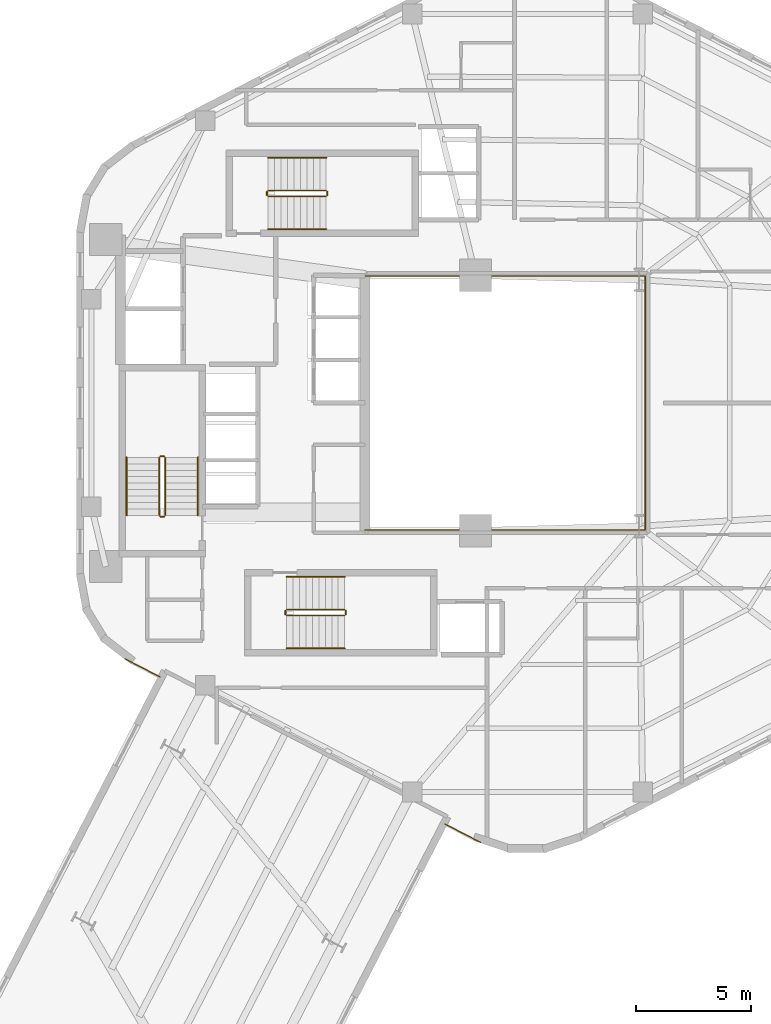
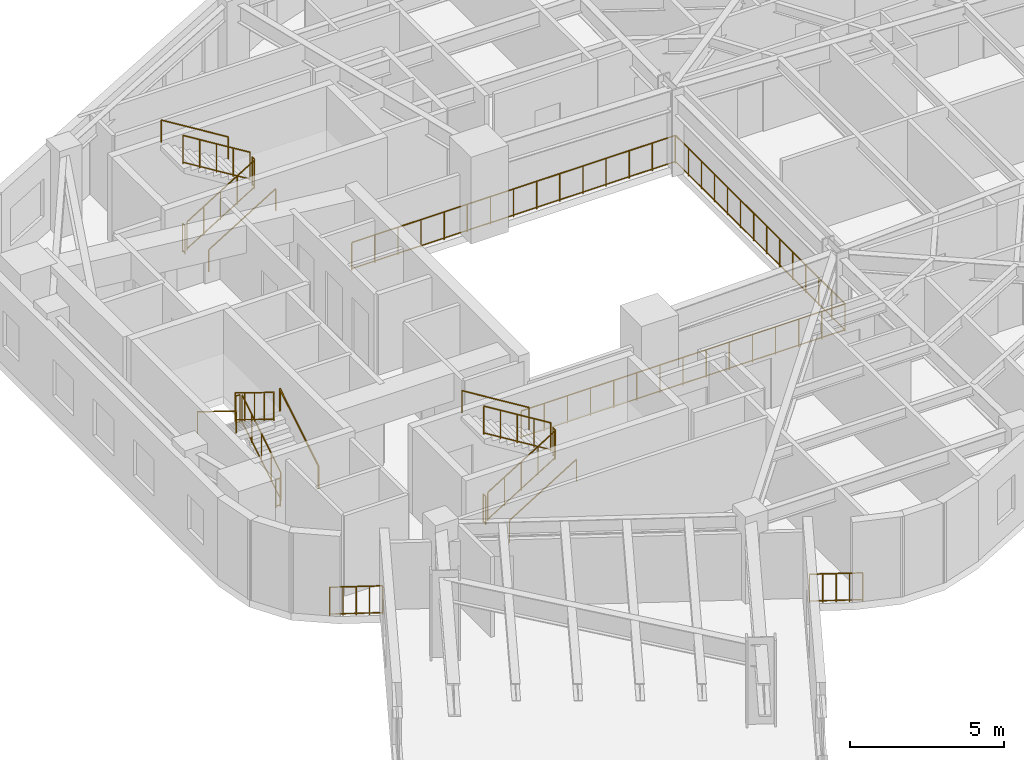
# One storey, part 10 of 10: 21 railings.
"""IFC4 building model written with IfcOpenShell, lengths in metres."""

from ifc_helpers import new_model, si_unit, direction, frame, origin, origin_2d, place, context, subcontext, project, spatial, circle, extrude, material, type_object, element, save


model = new_model("IFC4")

# Units and contexts
model_context = context("Model", 3, precision=1e-05, world=origin(), true_north=direction((0.0, 1.0)))
body_context = subcontext(model_context, "Body", "Model", "MODEL_VIEW")
ifc_project = project(units=[si_unit("LENGTHUNIT", "METRE"), si_unit("AREAUNIT", "SQUARE_METRE"), si_unit("VOLUMEUNIT", "CUBIC_METRE"), si_unit("PLANEANGLEUNIT", "RADIAN"), si_unit("MASSUNIT", "GRAM", prefix="KILO"), si_unit("THERMODYNAMICTEMPERATUREUNIT", "KELVIN"), si_unit("POWERUNIT", "WATT")], contexts=[model_context])

# Site, building, storey
site_placement = place(None, origin())
site = spatial("IfcSite", under=ifc_project, at=site_placement, CompositionType="ELEMENT")
building_placement = place(site_placement, origin())
building = spatial("IfcBuilding", under=site, at=building_placement, Name="Skarre Station Tower", CompositionType="ELEMENT")
storey_placement = place(building_placement, frame((0.0, 0.0, 180.89990234375)))
storey = spatial("IfcBuildingStorey", under=building, at=storey_placement, Name="L49", CompositionType="ELEMENT", Elevation=180.89990234375)

# Railings
ifc_material_1 = material(Name="Bronze Anodized Steel & Laminated Glass Balustrade", Category="steel")
railing_type_1 = type_object("IfcRailingType", Name="Atrium Void & Mezzanine Guard Balustrade 1120", PredefinedType="GUARDRAIL", material=ifc_material_1)
railing_1_placement = place(storey_placement, frame((27.550048828125, 18.47998046875, 0.0)))
element("IfcRailing", 1, at=railing_1_placement, inside=storey, type_object=railing_type_1, Name="L49 Atrium Void Guard Balustrade", PredefinedType="GUARDRAIL", context=body_context, shape_type="SweptSolid", body=[
    extrude(circle(Radius=0.02392578125, at=origin_2d()), frame((0.0, 0.0, 1.09619140625), z_axis=(1.0, 0.0, 0.0), x_axis=(0.0, 1.0, 0.0)), (0.0, 0.0, 1.0), 12.169921875),
    extrude(circle(Radius=0.02099609375, at=origin_2d()), frame((0.0, 0.0, 0.06005859375), z_axis=(1.0, 0.0, 0.0), x_axis=(0.0, 1.0, 0.0)), (0.0, 0.0, 1.0), 12.169921875),
    extrude(circle(Radius=0.02392578125, at=origin_2d()), frame((12.169921875, 0.0, 1.09619140625), z_axis=(0.0, 1.0, 0.0), x_axis=(-1.0, 0.0, 0.0)), (0.0, 0.0, 1.0), 11.0400390625),
    extrude(circle(Radius=0.02099609375, at=origin_2d()), frame((12.169921875, 0.0, 0.06005859375), z_axis=(0.0, 1.0, 0.0), x_axis=(-1.0, 0.0, 0.0)), (0.0, 0.0, 1.0), 11.0400390625),
    extrude(circle(Radius=0.02392578125, at=origin_2d()), frame((12.169921875, 11.0400390625, 1.09619140625), z_axis=(-1.0, 0.0, 0.0), x_axis=(0.0, -1.0, 0.0)), (0.0, 0.0, 1.0), 12.169921875),
    extrude(circle(Radius=0.02099609375, at=origin_2d()), frame((12.169921875, 11.0400390625, 0.06005859375), z_axis=(-1.0, 0.0, 0.0), x_axis=(0.0, -1.0, 0.0)), (0.0, 0.0, 1.0), 12.169921875),
    extrude(circle(Radius=0.02099609375, at=origin_2d()), origin(), (0.0, 0.0, 1.0), 1.072021484375),
    extrude(circle(Radius=0.02099609375, at=origin_2d()), frame((0.869384765625, 0.0, 0.0)), (0.0, 0.0, 1.0), 1.072021484375),
    extrude(circle(Radius=0.02099609375, at=origin_2d()), frame((1.738525390625, 0.0, 0.0)), (0.0, 0.0, 1.0), 1.072021484375),
    extrude(circle(Radius=0.02099609375, at=origin_2d()), frame((2.60791015625, 0.0, 0.0)), (0.0, 0.0, 1.0), 1.072021484375),
    extrude(circle(Radius=0.02099609375, at=origin_2d()), frame((3.47705078125, 0.0, 0.0)), (0.0, 0.0, 1.0), 1.072021484375),
    extrude(circle(Radius=0.02099609375, at=origin_2d()), frame((4.346435546875, 0.0, 0.0)), (0.0, 0.0, 1.0), 1.072021484375),
    extrude(circle(Radius=0.02099609375, at=origin_2d()), frame((5.215576171875, 0.0, 0.0)), (0.0, 0.0, 1.0), 1.072021484375),
    extrude(circle(Radius=0.02099609375, at=origin_2d()), frame((6.0849609375, 0.0, 0.0)), (0.0, 0.0, 1.0), 1.072021484375),
    extrude(circle(Radius=0.02099609375, at=origin_2d()), frame((6.954345703125, 0.0, 0.0)), (0.0, 0.0, 1.0), 1.072021484375),
    extrude(circle(Radius=0.02099609375, at=origin_2d()), frame((7.823486328125, 0.0, 0.0)), (0.0, 0.0, 1.0), 1.072021484375),
    extrude(circle(Radius=0.02099609375, at=origin_2d()), frame((8.69287109375, 0.0, 0.0)), (0.0, 0.0, 1.0), 1.072021484375),
    extrude(circle(Radius=0.02099609375, at=origin_2d()), frame((9.56201171875, 0.0, 0.0)), (0.0, 0.0, 1.0), 1.072021484375),
    extrude(circle(Radius=0.02099609375, at=origin_2d()), frame((10.431396484375, 0.0, 0.0)), (0.0, 0.0, 1.0), 1.072021484375),
    extrude(circle(Radius=0.02099609375, at=origin_2d()), frame((11.300537109375, 0.0, 0.0)), (0.0, 0.0, 1.0), 1.072021484375),
    extrude(circle(Radius=0.02099609375, at=origin_2d()), frame((12.169921875, 0.0, 0.0)), (0.0, 0.0, 1.0), 1.072021484375),
    extrude(circle(Radius=0.02099609375, at=origin_2d()), frame((12.169921875, 0.84912109375, 0.0)), (0.0, 0.0, 1.0), 1.072021484375),
    extrude(circle(Radius=0.02099609375, at=origin_2d()), frame((12.169921875, 1.698486328125, 0.0)), (0.0, 0.0, 1.0), 1.072021484375),
    extrude(circle(Radius=0.02099609375, at=origin_2d()), frame((12.169921875, 2.547607421875, 0.0)), (0.0, 0.0, 1.0), 1.072021484375),
    extrude(circle(Radius=0.02099609375, at=origin_2d()), frame((12.169921875, 3.39697265625, 0.0)), (0.0, 0.0, 1.0), 1.072021484375),
    extrude(circle(Radius=0.02099609375, at=origin_2d()), frame((12.169921875, 4.24609375, 0.0)), (0.0, 0.0, 1.0), 1.072021484375),
    extrude(circle(Radius=0.02099609375, at=origin_2d()), frame((12.169921875, 5.095458984375, 0.0)), (0.0, 0.0, 1.0), 1.072021484375),
    extrude(circle(Radius=0.02099609375, at=origin_2d()), frame((12.169921875, 5.944580078125, 0.0)), (0.0, 0.0, 1.0), 1.072021484375),
    extrude(circle(Radius=0.02099609375, at=origin_2d()), frame((12.169921875, 6.7939453125, 0.0)), (0.0, 0.0, 1.0), 1.072021484375),
    extrude(circle(Radius=0.02099609375, at=origin_2d()), frame((12.169921875, 7.64306640625, 0.0)), (0.0, 0.0, 1.0), 1.072021484375),
    extrude(circle(Radius=0.02099609375, at=origin_2d()), frame((12.169921875, 8.492431640625, 0.0)), (0.0, 0.0, 1.0), 1.072021484375),
    extrude(circle(Radius=0.02099609375, at=origin_2d()), frame((12.169921875, 9.341552734375, 0.0)), (0.0, 0.0, 1.0), 1.072021484375),
    extrude(circle(Radius=0.02099609375, at=origin_2d()), frame((12.169921875, 10.19091796875, 0.0)), (0.0, 0.0, 1.0), 1.072021484375),
    extrude(circle(Radius=0.02099609375, at=origin_2d()), frame((12.169921875, 11.0400390625, 0.0)), (0.0, 0.0, 1.0), 1.072021484375),
    extrude(circle(Radius=0.02099609375, at=origin_2d()), frame((11.300537109375, 11.0400390625, 0.0)), (0.0, 0.0, 1.0), 1.072021484375),
    extrude(circle(Radius=0.02099609375, at=origin_2d()), frame((10.431396484375, 11.0400390625, 0.0)), (0.0, 0.0, 1.0), 1.072021484375),
    extrude(circle(Radius=0.02099609375, at=origin_2d()), frame((9.56201171875, 11.0400390625, 0.0)), (0.0, 0.0, 1.0), 1.072021484375),
    extrude(circle(Radius=0.02099609375, at=origin_2d()), frame((8.69287109375, 11.0400390625, 0.0)), (0.0, 0.0, 1.0), 1.072021484375),
    extrude(circle(Radius=0.02099609375, at=origin_2d()), frame((7.823486328125, 11.0400390625, 0.0)), (0.0, 0.0, 1.0), 1.072021484375),
    extrude(circle(Radius=0.02099609375, at=origin_2d()), frame((6.954345703125, 11.0400390625, 0.0)), (0.0, 0.0, 1.0), 1.072021484375),
    extrude(circle(Radius=0.02099609375, at=origin_2d()), frame((6.0849609375, 11.0400390625, 0.0)), (0.0, 0.0, 1.0), 1.072021484375),
    extrude(circle(Radius=0.02099609375, at=origin_2d()), frame((5.215576171875, 11.0400390625, 0.0)), (0.0, 0.0, 1.0), 1.072021484375),
    extrude(circle(Radius=0.02099609375, at=origin_2d()), frame((4.346435546875, 11.0400390625, 0.0)), (0.0, 0.0, 1.0), 1.072021484375),
    extrude(circle(Radius=0.02099609375, at=origin_2d()), frame((3.47705078125, 11.0400390625, 0.0)), (0.0, 0.0, 1.0), 1.072021484375),
    extrude(circle(Radius=0.02099609375, at=origin_2d()), frame((2.60791015625, 11.0400390625, 0.0)), (0.0, 0.0, 1.0), 1.072021484375),
    extrude(circle(Radius=0.02099609375, at=origin_2d()), frame((1.738525390625, 11.0400390625, 0.0)), (0.0, 0.0, 1.0), 1.072021484375),
    extrude(circle(Radius=0.02099609375, at=origin_2d()), frame((0.869384765625, 11.0400390625, 0.0)), (0.0, 0.0, 1.0), 1.072021484375),
    extrude(circle(Radius=0.02099609375, at=origin_2d()), frame((0.0, 11.0400390625, 0.0)), (0.0, 0.0, 1.0), 1.072021484375),
])
ifc_material_2 = material(Name="Stainless Steel Grade 316L & Laminated Safety Glass", Category="steel")
railing_type_2 = type_object("IfcRailingType", Name="Laminated Glass & Stainless Terrace Guardrail 1150", PredefinedType="BALUSTRADE", material=ifc_material_2)
for number, where, name in (
    (2, (18.666015625, 12.10205078125, 0.0), "L49 SB-4 Shoulder Ledge Guardrail 1"),
    (3, (32.56689453125, 4.927001953125, 0.0), "L49 SB-4 Shoulder Ledge Guardrail 2"),
):
    element("IfcRailing", number, at=place(storey_placement, frame(where)), inside=storey, type_object=railing_type_2, Name=name, PredefinedType="BALUSTRADE", context=body_context, shape_type="SweptSolid", body=[
        extrude(circle(Radius=0.02392578125, at=origin_2d()), frame((0.0, 0.0, 1.1259765625), z_axis=(-0.888724295859, 0.458442063897, 0.0), x_axis=(-0.458442063897, -0.888724295859, 0.0)), (0.0, 0.0, 1.0), 1.73388671875),
        extrude(circle(Radius=0.02099609375, at=origin_2d()), frame((0.0, 0.0, 0.06005859375), z_axis=(-0.888724295859, 0.458442063897, 0.0), x_axis=(-0.458442063897, -0.888724295859, 0.0)), (0.0, 0.0, 1.0), 1.73388671875),
        extrude(circle(Radius=0.02099609375, at=origin_2d()), origin(), (0.0, 0.0, 1.0), 1.101806640625),
        extrude(circle(Radius=0.02099609375, at=origin_2d()), frame((-0.38525390625, 0.19873046875, 0.0)), (0.0, 0.0, 1.0), 1.101806640625),
        extrude(circle(Radius=0.02099609375, at=origin_2d()), frame((-0.7705078125, 0.3974609375, 0.0)), (0.0, 0.0, 1.0), 1.101806640625),
        extrude(circle(Radius=0.02099609375, at=origin_2d()), frame((-1.15576171875, 0.59619140625, 0.0)), (0.0, 0.0, 1.0), 1.101806640625),
        extrude(circle(Radius=0.02099609375, at=origin_2d()), frame((-1.541015625, 0.794921875, 0.0)), (0.0, 0.0, 1.0), 1.101806640625),
    ])
ifc_material_3 = material(Name="Powder-Coated Tubular Steel", Category="steel")
railing_type_3 = type_object("IfcRailingType", Name="Painted Steel Ramp & Stair Handrail 920", PredefinedType="HANDRAIL", material=ifc_material_3)
railing_2_placement = place(storey_placement, frame((20.300048828125, 19.1201171875, 0.172607421875)))
element("IfcRailing", 4, at=railing_2_placement, inside=storey, type_object=railing_type_3, Name="L49 ST-1 stair handrail 1", PredefinedType="HANDRAIL", context=body_context, shape_type="SweptSolid", body=[
    extrude(circle(Radius=0.02392578125, at=origin_2d()), frame((0.0, 0.0, 0.8759765625), z_axis=(0.0, 0.851377800117, 0.52455299205), x_axis=(-1.0, 0.0, 0.0)), (0.0, 0.0, 1.0), 2.959716796875),
    extrude(circle(Radius=0.02099609375, at=origin_2d()), origin(), (0.0, 0.0, 1.0), 0.851806640625),
    extrude(circle(Radius=0.02099609375, at=origin_2d()), frame((0.0, 2.519775390625, 1.552490234375)), (0.0, 0.0, 1.0), 0.851806640625),
])
railing_3_placement = place(storey_placement, frame((17.199951171875, 21.639892578125, 1.897705078125)))
element("IfcRailing", 5, at=railing_3_placement, inside=storey, type_object=railing_type_3, Name="L49 ST-1 stair handrail 2", PredefinedType="HANDRAIL", context=body_context, shape_type="SweptSolid", body=[
    extrude(circle(Radius=0.02392578125, at=origin_2d()), frame((0.0, 0.0, 0.8759765625), z_axis=(0.0, -0.851377800117, 0.52455299205), x_axis=(1.0, 0.0, 0.0)), (0.0, 0.0, 1.0), 2.959716796875),
    extrude(circle(Radius=0.02099609375, at=origin_2d()), origin(), (0.0, 0.0, 1.0), 0.851806640625),
    extrude(circle(Radius=0.02099609375, at=origin_2d()), frame((0.0, -2.519775390625, 1.552490234375)), (0.0, 0.0, 1.0), 0.851806640625),
])
railing_4_placement = place(storey_placement, frame((24.14990234375, 13.35009765625, 0.172607421875)))
element("IfcRailing", 6, at=railing_4_placement, inside=storey, type_object=railing_type_3, Name="L49 ST-2 stair handrail 1", PredefinedType="HANDRAIL", context=body_context, shape_type="SweptSolid", body=[
    extrude(circle(Radius=0.02392578125, at=origin_2d()), frame((0.0, 0.0, 0.8759765625), z_axis=(0.851400495292, 0.0, 0.524516154772), x_axis=(0.0, 1.0, 0.0)), (0.0, 0.0, 1.0), 2.9599609375),
    extrude(circle(Radius=0.02099609375, at=origin_2d()), origin(), (0.0, 0.0, 1.0), 0.851806640625),
    extrude(circle(Radius=0.02099609375, at=origin_2d()), frame((2.52001953125, 0.0, 1.552490234375)), (0.0, 0.0, 1.0), 0.851806640625),
])
railing_5_placement = place(storey_placement, frame((26.669921875, 16.449951171875, 1.897705078125)))
element("IfcRailing", 7, at=railing_5_placement, inside=storey, type_object=railing_type_3, Name="L49 ST-2 stair handrail 2", PredefinedType="HANDRAIL", context=body_context, shape_type="SweptSolid", body=[
    extrude(circle(Radius=0.02392578125, at=origin_2d()), frame((0.0, 0.0, 0.8759765625), z_axis=(-0.851400495292, 0.0, 0.524516154772), x_axis=(0.0, -1.0, 0.0)), (0.0, 0.0, 1.0), 2.9599609375),
    extrude(circle(Radius=0.02099609375, at=origin_2d()), origin(), (0.0, 0.0, 1.0), 0.851806640625),
    extrude(circle(Radius=0.02099609375, at=origin_2d()), frame((-2.52001953125, 0.0, 1.552490234375)), (0.0, 0.0, 1.0), 0.851806640625),
])
railing_6_placement = place(storey_placement, frame((23.35009765625, 31.550048828125, 0.172607421875)))
element("IfcRailing", 8, at=railing_6_placement, inside=storey, type_object=railing_type_3, Name="L49 ST-3 stair handrail 1", PredefinedType="HANDRAIL", context=body_context, shape_type="SweptSolid", body=[
    extrude(circle(Radius=0.02392578125, at=origin_2d()), frame((0.0, 0.0, 0.8759765625), z_axis=(0.851400495292, 0.0, 0.524516154772), x_axis=(0.0, 1.0, 0.0)), (0.0, 0.0, 1.0), 2.9599609375),
    extrude(circle(Radius=0.02099609375, at=origin_2d()), origin(), (0.0, 0.0, 1.0), 0.851806640625),
    extrude(circle(Radius=0.02099609375, at=origin_2d()), frame((2.52001953125, 0.0, 1.552490234375)), (0.0, 0.0, 1.0), 0.851806640625),
])
railing_7_placement = place(storey_placement, frame((25.8701171875, 34.64990234375, 1.897705078125)))
element("IfcRailing", 9, at=railing_7_placement, inside=storey, type_object=railing_type_3, Name="L49 ST-3 stair handrail 2", PredefinedType="HANDRAIL", context=body_context, shape_type="SweptSolid", body=[
    extrude(circle(Radius=0.02392578125, at=origin_2d()), frame((0.0, 0.0, 0.8759765625), z_axis=(-0.851400495292, 0.0, 0.524516154772), x_axis=(0.0, -1.0, 0.0)), (0.0, 0.0, 1.0), 2.9599609375),
    extrude(circle(Radius=0.02099609375, at=origin_2d()), origin(), (0.0, 0.0, 1.0), 0.851806640625),
    extrude(circle(Radius=0.02099609375, at=origin_2d()), frame((-2.52001953125, 0.0, 1.552490234375)), (0.0, 0.0, 1.0), 0.851806640625),
])
railing_type_4 = type_object("IfcRailingType", Name="Painted Steel Stairwell Guardrail 1100", PredefinedType="GUARDRAIL", material=ifc_material_3)
railing_8_placement = place(storey_placement, frame((18.8798828125, 19.1201171875, 0.172607421875)))
element("IfcRailing", 10, at=railing_8_placement, inside=storey, type_object=railing_type_4, Name="L49 ST-1 stair guard 1", PredefinedType="GUARDRAIL", context=body_context, shape_type="SweptSolid", body=[
    extrude(circle(Radius=0.02392578125, at=origin_2d()), frame((0.0, 0.0, 1.1259765625), z_axis=(0.0, 0.851377800117, 0.52455299205), x_axis=(-1.0, 0.0, 0.0)), (0.0, 0.0, 1.0), 2.959716796875),
    extrude(circle(Radius=0.02099609375, at=origin_2d()), frame((0.0, 0.0, 0.06005859375), z_axis=(0.0, 0.851377800117, 0.52455299205), x_axis=(-1.0, 0.0, 0.0)), (0.0, 0.0, 1.0), 2.959716796875),
    extrude(circle(Radius=0.02099609375, at=origin_2d()), origin(), (0.0, 0.0, 1.0), 1.101806640625),
    extrude(circle(Radius=0.02099609375, at=origin_2d()), frame((0.0, 0.6298828125, 0.38818359375)), (0.0, 0.0, 1.0), 1.101806640625),
    extrude(circle(Radius=0.02099609375, at=origin_2d()), frame((0.0, 1.259765625, 0.7763671875)), (0.0, 0.0, 1.0), 1.101806640625),
    extrude(circle(Radius=0.02099609375, at=origin_2d()), frame((0.0, 1.889892578125, 1.164306640625)), (0.0, 0.0, 1.0), 1.101806640625),
    extrude(circle(Radius=0.02099609375, at=origin_2d()), frame((0.0, 2.519775390625, 1.552490234375)), (0.0, 0.0, 1.0), 1.101806640625),
])
railing_9_placement = place(storey_placement, frame((18.830078125, 21.68994140625, 1.72509765625)))
element("IfcRailing", 11, at=railing_9_placement, inside=storey, type_object=railing_type_4, Name="L49 ST-1 stair guard 2", PredefinedType="GUARDRAIL", context=body_context, shape_type="SweptSolid", body=[
    extrude(circle(Radius=0.02392578125, at=origin_2d()), frame((0.0, 0.0, 1.1259765625), z_axis=(-1.0, 0.0, 0.0), x_axis=(0.0, -1.0, 0.0)), (0.0, 0.0, 1.0), 0.16015625),
    extrude(circle(Radius=0.02099609375, at=origin_2d()), frame((0.0, 0.0, 0.06005859375), z_axis=(-1.0, 0.0, 0.0), x_axis=(0.0, -1.0, 0.0)), (0.0, 0.0, 1.0), 0.16015625),
    extrude(circle(Radius=0.02099609375, at=origin_2d()), origin(), (0.0, 0.0, 1.0), 1.101806640625),
    extrude(circle(Radius=0.02099609375, at=origin_2d()), frame((-0.16015625, 0.0, 0.0)), (0.0, 0.0, 1.0), 1.101806640625),
])
railing_10_placement = place(storey_placement, frame((18.6201171875, 21.639892578125, 1.897705078125)))
element("IfcRailing", 12, at=railing_10_placement, inside=storey, type_object=railing_type_4, Name="L49 ST-1 stair guard 3", PredefinedType="GUARDRAIL", context=body_context, shape_type="SweptSolid", body=[
    extrude(circle(Radius=0.02392578125, at=origin_2d()), frame((0.0, 0.0, 1.1259765625), z_axis=(0.0, -0.851377800117, 0.52455299205), x_axis=(1.0, 0.0, 0.0)), (0.0, 0.0, 1.0), 2.959716796875),
    extrude(circle(Radius=0.02099609375, at=origin_2d()), frame((0.0, 0.0, 0.06005859375), z_axis=(0.0, -0.851377800117, 0.52455299205), x_axis=(1.0, 0.0, 0.0)), (0.0, 0.0, 1.0), 2.959716796875),
    extrude(circle(Radius=0.02099609375, at=origin_2d()), origin(), (0.0, 0.0, 1.0), 1.101806640625),
    extrude(circle(Radius=0.02099609375, at=origin_2d()), frame((0.0, -0.6298828125, 0.38818359375)), (0.0, 0.0, 1.0), 1.101806640625),
    extrude(circle(Radius=0.02099609375, at=origin_2d()), frame((0.0, -1.259765625, 0.7763671875)), (0.0, 0.0, 1.0), 1.101806640625),
    extrude(circle(Radius=0.02099609375, at=origin_2d()), frame((0.0, -1.889892578125, 1.164306640625)), (0.0, 0.0, 1.0), 1.101806640625),
    extrude(circle(Radius=0.02099609375, at=origin_2d()), frame((0.0, -2.519775390625, 1.552490234375)), (0.0, 0.0, 1.0), 1.101806640625),
])
railing_11_placement = place(storey_placement, frame((18.830078125, 19.070068359375, 0.0)))
element("IfcRailing", 13, at=railing_11_placement, inside=storey, type_object=railing_type_4, Name="L49 ST-1 stair guard 4", PredefinedType="GUARDRAIL", context=body_context, shape_type="SweptSolid", body=[
    extrude(circle(Radius=0.02392578125, at=origin_2d()), frame((0.0, 0.0, 1.1259765625), z_axis=(-1.0, 0.0, 0.0), x_axis=(0.0, -1.0, 0.0)), (0.0, 0.0, 1.0), 0.16015625),
    extrude(circle(Radius=0.02099609375, at=origin_2d()), frame((0.0, 0.0, 0.06005859375), z_axis=(-1.0, 0.0, 0.0), x_axis=(0.0, -1.0, 0.0)), (0.0, 0.0, 1.0), 0.16015625),
    extrude(circle(Radius=0.02099609375, at=origin_2d()), origin(), (0.0, 0.0, 1.0), 1.101806640625),
    extrude(circle(Radius=0.02099609375, at=origin_2d()), frame((-0.16015625, 0.0, 0.0)), (0.0, 0.0, 1.0), 1.101806640625),
])
railing_12_placement = place(storey_placement, frame((24.14990234375, 14.77001953125, 0.172607421875)))
element("IfcRailing", 14, at=railing_12_placement, inside=storey, type_object=railing_type_4, Name="L49 ST-2 stair guard 1", PredefinedType="GUARDRAIL", context=body_context, shape_type="SweptSolid", body=[
    extrude(circle(Radius=0.02392578125, at=origin_2d()), frame((0.0, 0.0, 1.1259765625), z_axis=(0.851400495292, 0.0, 0.524516154772), x_axis=(0.0, 1.0, 0.0)), (0.0, 0.0, 1.0), 2.9599609375),
    extrude(circle(Radius=0.02099609375, at=origin_2d()), frame((0.0, 0.0, 0.06005859375), z_axis=(0.851400495292, 0.0, 0.524516154772), x_axis=(0.0, 1.0, 0.0)), (0.0, 0.0, 1.0), 2.9599609375),
    extrude(circle(Radius=0.02099609375, at=origin_2d()), origin(), (0.0, 0.0, 1.0), 1.101806640625),
    extrude(circle(Radius=0.02099609375, at=origin_2d()), frame((0.6298828125, 0.0, 0.38818359375)), (0.0, 0.0, 1.0), 1.101806640625),
    extrude(circle(Radius=0.02099609375, at=origin_2d()), frame((1.260009765625, 0.0, 0.7763671875)), (0.0, 0.0, 1.0), 1.101806640625),
    extrude(circle(Radius=0.02099609375, at=origin_2d()), frame((1.89013671875, 0.0, 1.164306640625)), (0.0, 0.0, 1.0), 1.101806640625),
    extrude(circle(Radius=0.02099609375, at=origin_2d()), frame((2.52001953125, 0.0, 1.552490234375)), (0.0, 0.0, 1.0), 1.101806640625),
])
railing_13_placement = place(storey_placement, frame((26.719970703125, 14.820068359375, 1.72509765625)))
element("IfcRailing", 15, at=railing_13_placement, inside=storey, type_object=railing_type_4, Name="L49 ST-2 stair guard 2", PredefinedType="GUARDRAIL", context=body_context, shape_type="SweptSolid", body=[
    extrude(circle(Radius=0.02392578125, at=origin_2d()), frame((0.0, 0.0, 1.1259765625), z_axis=(0.0, 1.0, 0.0), x_axis=(-1.0, 0.0, 0.0)), (0.0, 0.0, 1.0), 0.159912109375),
    extrude(circle(Radius=0.02099609375, at=origin_2d()), frame((0.0, 0.0, 0.06005859375), z_axis=(0.0, 1.0, 0.0), x_axis=(-1.0, 0.0, 0.0)), (0.0, 0.0, 1.0), 0.159912109375),
    extrude(circle(Radius=0.02099609375, at=origin_2d()), origin(), (0.0, 0.0, 1.0), 1.101806640625),
    extrude(circle(Radius=0.02099609375, at=origin_2d()), frame((0.0, 0.159912109375, 0.0)), (0.0, 0.0, 1.0), 1.101806640625),
])
railing_14_placement = place(storey_placement, frame((26.669921875, 15.030029296875, 1.897705078125)))
element("IfcRailing", 16, at=railing_14_placement, inside=storey, type_object=railing_type_4, Name="L49 ST-2 stair guard 3", PredefinedType="GUARDRAIL", context=body_context, shape_type="SweptSolid", body=[
    extrude(circle(Radius=0.02392578125, at=origin_2d()), frame((0.0, 0.0, 1.1259765625), z_axis=(-0.851400495292, 0.0, 0.524516154772), x_axis=(0.0, -1.0, 0.0)), (0.0, 0.0, 1.0), 2.9599609375),
    extrude(circle(Radius=0.02099609375, at=origin_2d()), frame((0.0, 0.0, 0.06005859375), z_axis=(-0.851400495292, 0.0, 0.524516154772), x_axis=(0.0, -1.0, 0.0)), (0.0, 0.0, 1.0), 2.9599609375),
    extrude(circle(Radius=0.02099609375, at=origin_2d()), origin(), (0.0, 0.0, 1.0), 1.101806640625),
    extrude(circle(Radius=0.02099609375, at=origin_2d()), frame((-0.6298828125, 0.0, 0.38818359375)), (0.0, 0.0, 1.0), 1.101806640625),
    extrude(circle(Radius=0.02099609375, at=origin_2d()), frame((-1.260009765625, 0.0, 0.7763671875)), (0.0, 0.0, 1.0), 1.101806640625),
    extrude(circle(Radius=0.02099609375, at=origin_2d()), frame((-1.89013671875, 0.0, 1.164306640625)), (0.0, 0.0, 1.0), 1.101806640625),
    extrude(circle(Radius=0.02099609375, at=origin_2d()), frame((-2.52001953125, 0.0, 1.552490234375)), (0.0, 0.0, 1.0), 1.101806640625),
])
railing_15_placement = place(storey_placement, frame((24.10009765625, 14.820068359375, 0.0)))
element("IfcRailing", 17, at=railing_15_placement, inside=storey, type_object=railing_type_4, Name="L49 ST-2 stair guard 4", PredefinedType="GUARDRAIL", context=body_context, shape_type="SweptSolid", body=[
    extrude(circle(Radius=0.02392578125, at=origin_2d()), frame((0.0, 0.0, 1.1259765625), z_axis=(0.0, 1.0, 0.0), x_axis=(-1.0, 0.0, 0.0)), (0.0, 0.0, 1.0), 0.159912109375),
    extrude(circle(Radius=0.02099609375, at=origin_2d()), frame((0.0, 0.0, 0.06005859375), z_axis=(0.0, 1.0, 0.0), x_axis=(-1.0, 0.0, 0.0)), (0.0, 0.0, 1.0), 0.159912109375),
    extrude(circle(Radius=0.02099609375, at=origin_2d()), origin(), (0.0, 0.0, 1.0), 1.101806640625),
    extrude(circle(Radius=0.02099609375, at=origin_2d()), frame((0.0, 0.159912109375, 0.0)), (0.0, 0.0, 1.0), 1.101806640625),
])
railing_16_placement = place(storey_placement, frame((23.35009765625, 32.969970703125, 0.172607421875)))
element("IfcRailing", 18, at=railing_16_placement, inside=storey, type_object=railing_type_4, Name="L49 ST-3 stair guard 1", PredefinedType="GUARDRAIL", context=body_context, shape_type="SweptSolid", body=[
    extrude(circle(Radius=0.02392578125, at=origin_2d()), frame((0.0, 0.0, 1.1259765625), z_axis=(0.851400495292, 0.0, 0.524516154772), x_axis=(0.0, 1.0, 0.0)), (0.0, 0.0, 1.0), 2.9599609375),
    extrude(circle(Radius=0.02099609375, at=origin_2d()), frame((0.0, 0.0, 0.06005859375), z_axis=(0.851400495292, 0.0, 0.524516154772), x_axis=(0.0, 1.0, 0.0)), (0.0, 0.0, 1.0), 2.9599609375),
    extrude(circle(Radius=0.02099609375, at=origin_2d()), origin(), (0.0, 0.0, 1.0), 1.101806640625),
    extrude(circle(Radius=0.02099609375, at=origin_2d()), frame((0.6298828125, 0.0, 0.38818359375)), (0.0, 0.0, 1.0), 1.101806640625),
    extrude(circle(Radius=0.02099609375, at=origin_2d()), frame((1.260009765625, 0.0, 0.7763671875)), (0.0, 0.0, 1.0), 1.101806640625),
    extrude(circle(Radius=0.02099609375, at=origin_2d()), frame((1.89013671875, 0.0, 1.164306640625)), (0.0, 0.0, 1.0), 1.101806640625),
    extrude(circle(Radius=0.02099609375, at=origin_2d()), frame((2.52001953125, 0.0, 1.552490234375)), (0.0, 0.0, 1.0), 1.101806640625),
])
railing_17_placement = place(storey_placement, frame((25.919921875, 33.02001953125, 1.72509765625)))
element("IfcRailing", 19, at=railing_17_placement, inside=storey, type_object=railing_type_4, Name="L49 ST-3 stair guard 2", PredefinedType="GUARDRAIL", context=body_context, shape_type="SweptSolid", body=[
    extrude(circle(Radius=0.02392578125, at=origin_2d()), frame((0.0, 0.0, 1.1259765625), z_axis=(0.0, 1.0, 0.0), x_axis=(-1.0, 0.0, 0.0)), (0.0, 0.0, 1.0), 0.159912109375),
    extrude(circle(Radius=0.02099609375, at=origin_2d()), frame((0.0, 0.0, 0.06005859375), z_axis=(0.0, 1.0, 0.0), x_axis=(-1.0, 0.0, 0.0)), (0.0, 0.0, 1.0), 0.159912109375),
    extrude(circle(Radius=0.02099609375, at=origin_2d()), origin(), (0.0, 0.0, 1.0), 1.101806640625),
    extrude(circle(Radius=0.02099609375, at=origin_2d()), frame((0.0, 0.159912109375, 0.0)), (0.0, 0.0, 1.0), 1.101806640625),
])
railing_18_placement = place(storey_placement, frame((25.8701171875, 33.22998046875, 1.897705078125)))
element("IfcRailing", 20, at=railing_18_placement, inside=storey, type_object=railing_type_4, Name="L49 ST-3 stair guard 3", PredefinedType="GUARDRAIL", context=body_context, shape_type="SweptSolid", body=[
    extrude(circle(Radius=0.02392578125, at=origin_2d()), frame((0.0, 0.0, 1.1259765625), z_axis=(-0.851400495292, 0.0, 0.524516154772), x_axis=(0.0, -1.0, 0.0)), (0.0, 0.0, 1.0), 2.9599609375),
    extrude(circle(Radius=0.02099609375, at=origin_2d()), frame((0.0, 0.0, 0.06005859375), z_axis=(-0.851400495292, 0.0, 0.524516154772), x_axis=(0.0, -1.0, 0.0)), (0.0, 0.0, 1.0), 2.9599609375),
    extrude(circle(Radius=0.02099609375, at=origin_2d()), origin(), (0.0, 0.0, 1.0), 1.101806640625),
    extrude(circle(Radius=0.02099609375, at=origin_2d()), frame((-0.6298828125, 0.0, 0.38818359375)), (0.0, 0.0, 1.0), 1.101806640625),
    extrude(circle(Radius=0.02099609375, at=origin_2d()), frame((-1.260009765625, 0.0, 0.7763671875)), (0.0, 0.0, 1.0), 1.101806640625),
    extrude(circle(Radius=0.02099609375, at=origin_2d()), frame((-1.89013671875, 0.0, 1.164306640625)), (0.0, 0.0, 1.0), 1.101806640625),
    extrude(circle(Radius=0.02099609375, at=origin_2d()), frame((-2.52001953125, 0.0, 1.552490234375)), (0.0, 0.0, 1.0), 1.101806640625),
])
railing_19_placement = place(storey_placement, frame((23.300048828125, 33.02001953125, 0.0)))
element("IfcRailing", 21, at=railing_19_placement, inside=storey, type_object=railing_type_4, Name="L49 ST-3 stair guard 4", PredefinedType="GUARDRAIL", context=body_context, shape_type="SweptSolid", body=[
    extrude(circle(Radius=0.02392578125, at=origin_2d()), frame((0.0, 0.0, 1.1259765625), z_axis=(0.0, 1.0, 0.0), x_axis=(-1.0, 0.0, 0.0)), (0.0, 0.0, 1.0), 0.159912109375),
    extrude(circle(Radius=0.02099609375, at=origin_2d()), frame((0.0, 0.0, 0.06005859375), z_axis=(0.0, 1.0, 0.0), x_axis=(-1.0, 0.0, 0.0)), (0.0, 0.0, 1.0), 0.159912109375),
    extrude(circle(Radius=0.02099609375, at=origin_2d()), origin(), (0.0, 0.0, 1.0), 1.101806640625),
    extrude(circle(Radius=0.02099609375, at=origin_2d()), frame((0.0, 0.159912109375, 0.0)), (0.0, 0.0, 1.0), 1.101806640625),
])

save(model, "model.ifc")
